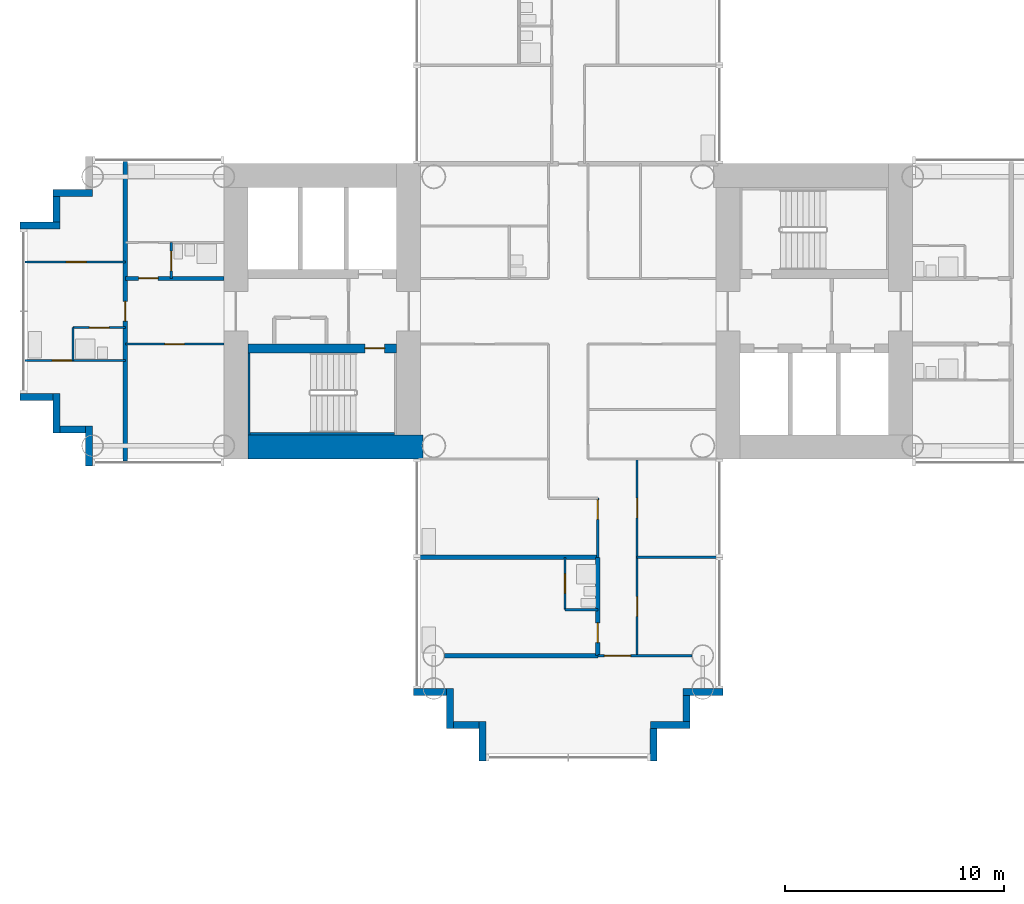
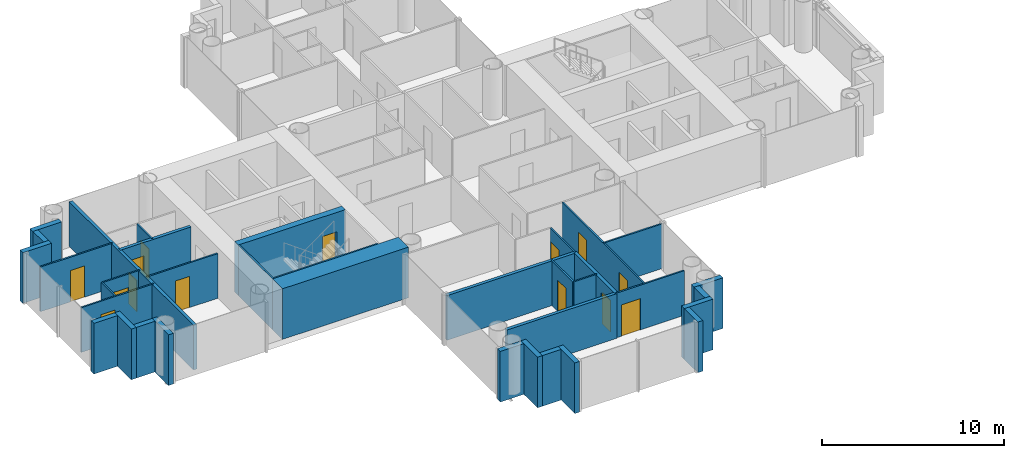
# One storey, part 9 of 22: 36 walls, 14 doors, 14 openings.
"""IFC4 building model written with IfcOpenShell, lengths in metres."""

from ifc_helpers import new_model, si_unit, direction, frame, frame_2d, origin, place, context, subcontext, project, spatial, rectangle, extrude, material, layer, layer_set, type_object, element, fill, save


model = new_model("IFC4")

# Units and contexts
model_context = context("Model", 3, precision=1e-05, world=origin(), true_north=direction((0.0, 1.0)))
body_context = subcontext(model_context, "Body", "Model", "MODEL_VIEW")
ifc_project = project(units=[si_unit("LENGTHUNIT", "METRE"), si_unit("AREAUNIT", "SQUARE_METRE"), si_unit("VOLUMEUNIT", "CUBIC_METRE"), si_unit("PLANEANGLEUNIT", "RADIAN"), si_unit("MASSUNIT", "GRAM", prefix="KILO")], contexts=[model_context])

# Site, building, storey
site_placement = place(None, origin())
site = spatial("IfcSite", under=ifc_project, at=site_placement, CompositionType="ELEMENT")
building_placement = place(site_placement, origin())
building = spatial("IfcBuilding", under=site, at=building_placement, Name="Ipe Terrace Towers", CompositionType="ELEMENT")
storey_placement = place(building_placement, frame((0.0, 0.0, 68.699951171875)))
storey = spatial("IfcBuildingStorey", under=building, at=storey_placement, Name="L18", CompositionType="ELEMENT", Elevation=68.699951171875)

# Walls
ifc_material_1 = material(Name="Concrete C40/50 with buff precast cladding", Category="concrete")
ifc_layer_1 = layer(ifc_material_1, 0.320068359375)
ifc_layer_set_1 = layer_set([ifc_layer_1], Name="BUFF CLADDING WALL 320")
wall_type_1 = type_object("IfcWallType", Name="BUFF CLADDING WALL 320", PredefinedType="STANDARD", material=ifc_layer_set_1)
wall_1_placement = place(storey_placement, frame((-61.070068359375, -3.909912109375, -0.300048828125), z_axis=(0.0, 0.0, 1.0), x_axis=(1.0, 0.0, 0.0)))
element("IfcWall", 1, at=wall_1_placement, inside=storey, type_object=wall_type_1, Name="T1-W-L18-00a wall", PredefinedType="STANDARD", context=body_context, shape_type="SweptSolid", body=[
    extrude(rectangle(XDim=1.5, YDim=0.320068359375, at=frame_2d((0.75, 0.0))), origin(), (0.0, 0.0, 1.0), 3.400146484375),
])
wall_2_placement = place(storey_placement, frame((-59.409912109375, -3.75, -0.300048828125), z_axis=(0.0, 0.0, 1.0), x_axis=(0.0, -1.0, 0.0)))
element("IfcWall", 2, at=wall_2_placement, inside=storey, type_object=wall_type_1, Name="T1-W-L18-01a wall", PredefinedType="STANDARD", context=body_context, shape_type="SweptSolid", body=[
    extrude(rectangle(XDim=1.820068359375, YDim=0.320068359375, at=frame_2d((0.91015625, 0.0))), origin(), (0.0, 0.0, 1.0), 3.400146484375),
])
wall_3_placement = place(storey_placement, frame((-59.25, -5.409912109375, -0.300048828125), z_axis=(0.0, 0.0, 1.0), x_axis=(1.0, 0.0, 0.0)))
element("IfcWall", 3, at=wall_3_placement, inside=storey, type_object=wall_type_1, Name="T1-W-L18-02a wall", PredefinedType="STANDARD", context=body_context, shape_type="SweptSolid", body=[
    extrude(rectangle(XDim=1.179931640625, YDim=0.320068359375, at=frame_2d((0.58984375, 0.0))), origin(), (0.0, 0.0, 1.0), 3.400146484375),
])
wall_4_placement = place(storey_placement, frame((-57.909912109375, -5.25, -0.300048828125), z_axis=(0.0, 0.0, 1.0), x_axis=(0.0, -1.0, 0.0)))
element("IfcWall", 4, at=wall_4_placement, inside=storey, type_object=wall_type_1, Name="T1-W-L18-03a wall", PredefinedType="STANDARD", context=body_context, shape_type="SweptSolid", body=[
    extrude(rectangle(XDim=1.820068359375, YDim=0.320068359375, at=frame_2d((0.91015625, 0.0))), origin(), (0.0, 0.0, 1.0), 3.400146484375),
])
wall_5_placement = place(storey_placement, frame((-43.070068359375, -17.409912109375, -0.300048828125), z_axis=(0.0, 0.0, 1.0), x_axis=(1.0, 0.0, 0.0)))
element("IfcWall", 5, at=wall_5_placement, inside=storey, type_object=wall_type_1, Name="T1-W-L18-08a wall", PredefinedType="STANDARD", context=body_context, shape_type="SweptSolid", body=[
    extrude(rectangle(XDim=1.5, YDim=0.320068359375, at=frame_2d((0.75, 0.0))), origin(), (0.0, 0.0, 1.0), 3.400146484375),
])
wall_6_placement = place(storey_placement, frame((-41.409912109375, -17.25, -0.300048828125), z_axis=(0.0, 0.0, 1.0), x_axis=(0.0, -1.0, 0.0)))
element("IfcWall", 6, at=wall_6_placement, inside=storey, type_object=wall_type_1, Name="T1-W-L18-09a wall", PredefinedType="STANDARD", context=body_context, shape_type="SweptSolid", body=[
    extrude(rectangle(XDim=1.820068359375, YDim=0.320068359375, at=frame_2d((0.91015625, 0.0))), origin(), (0.0, 0.0, 1.0), 3.400146484375),
])
wall_7_placement = place(storey_placement, frame((-41.25, -18.909912109375, -0.300048828125), z_axis=(0.0, 0.0, 1.0), x_axis=(1.0, 0.0, 0.0)))
element("IfcWall", 7, at=wall_7_placement, inside=storey, type_object=wall_type_1, Name="T1-W-L18-10a wall", PredefinedType="STANDARD", context=body_context, shape_type="SweptSolid", body=[
    extrude(rectangle(XDim=1.179931640625, YDim=0.320068359375, at=frame_2d((0.58984375, 0.0))), origin(), (0.0, 0.0, 1.0), 3.400146484375),
])
wall_8_placement = place(storey_placement, frame((-39.909912109375, -18.75, -0.300048828125), z_axis=(0.0, 0.0, 1.0), x_axis=(0.0, -1.0, 0.0)))
element("IfcWall", 8, at=wall_8_placement, inside=storey, type_object=wall_type_1, Name="T1-W-L18-11a wall", PredefinedType="STANDARD", context=body_context, shape_type="SweptSolid", body=[
    extrude(rectangle(XDim=1.820068359375, YDim=0.320068359375, at=frame_2d((0.91015625, 0.0))), origin(), (0.0, 0.0, 1.0), 3.400146484375),
])
wall_9_placement = place(storey_placement, frame((-32.090087890625, -20.570068359375, -0.300048828125), z_axis=(0.0, 0.0, 1.0), x_axis=(0.0, 1.0, 0.0)))
element("IfcWall", 9, at=wall_9_placement, inside=storey, type_object=wall_type_1, Name="T1-W-L18-13a wall", PredefinedType="STANDARD", context=body_context, shape_type="SweptSolid", body=[
    extrude(rectangle(XDim=1.5, YDim=0.320068359375, at=frame_2d((0.75, 0.0))), origin(), (0.0, 0.0, 1.0), 3.400146484375),
])
wall_10_placement = place(storey_placement, frame((-32.25, -18.909912109375, -0.300048828125), z_axis=(0.0, 0.0, 1.0), x_axis=(1.0, 0.0, 0.0)))
element("IfcWall", 10, at=wall_10_placement, inside=storey, type_object=wall_type_1, Name="T1-W-L18-14a wall", PredefinedType="STANDARD", context=body_context, shape_type="SweptSolid", body=[
    extrude(rectangle(XDim=1.820068359375, YDim=0.320068359375, at=frame_2d((0.91015625, 0.0))), origin(), (0.0, 0.0, 1.0), 3.400146484375),
])
wall_11_placement = place(storey_placement, frame((-30.590087890625, -18.75, -0.300048828125), z_axis=(0.0, 0.0, 1.0), x_axis=(0.0, 1.0, 0.0)))
element("IfcWall", 11, at=wall_11_placement, inside=storey, type_object=wall_type_1, Name="T1-W-L18-15a wall", PredefinedType="STANDARD", context=body_context, shape_type="SweptSolid", body=[
    extrude(rectangle(XDim=1.179931640625, YDim=0.320068359375, at=frame_2d((0.58984375, 0.0))), origin(), (0.0, 0.0, 1.0), 3.400146484375),
])
for number, where, z_axis, x_axis, name in (
    (12, (-30.75, -17.409912109375, -0.300048828125), (0.0, 0.0, 1.0), (1.0, 0.0, 0.0), "T1-W-L18-16a wall"),
    (13, (-57.75, 5.409912109375, -0.300048828125), (0.0, 0.0, 1.0), (-1.0, 0.0, 0.0), "T1-W-L18-48a wall"),
):
    element("IfcWall", number, at=place(storey_placement, frame(where, z_axis=z_axis, x_axis=x_axis)), inside=storey, type_object=wall_type_1, Name=name, PredefinedType="STANDARD", context=body_context, shape_type="SweptSolid", body=[
        extrude(rectangle(XDim=1.820068359375, YDim=0.320068359375, at=frame_2d((0.91015625, 0.0))), origin(), (0.0, 0.0, 1.0), 3.400146484375),
    ])
wall_12_placement = place(storey_placement, frame((-59.409912109375, 5.25, -0.300048828125), z_axis=(0.0, 0.0, 1.0), x_axis=(0.0, -1.0, 0.0)))
element("IfcWall", 14, at=wall_12_placement, inside=storey, type_object=wall_type_1, Name="T1-W-L18-49a wall", PredefinedType="STANDARD", context=body_context, shape_type="SweptSolid", body=[
    extrude(rectangle(XDim=1.179931640625, YDim=0.320068359375, at=frame_2d((0.58984375, 0.0))), origin(), (0.0, 0.0, 1.0), 3.400146484375),
])
wall_13_placement = place(storey_placement, frame((-59.25, 3.909912109375, -0.300048828125), z_axis=(0.0, 0.0, 1.0), x_axis=(-1.0, 0.0, 0.0)))
element("IfcWall", 15, at=wall_13_placement, inside=storey, type_object=wall_type_1, Name="T1-W-L18-50a wall", PredefinedType="STANDARD", context=body_context, shape_type="SweptSolid", body=[
    extrude(rectangle(XDim=1.820068359375, YDim=0.320068359375, at=frame_2d((0.91015625, 0.0))), origin(), (0.0, 0.0, 1.0), 3.400146484375),
])
ifc_material_2 = material(Name="Gypsum board partition", Category="plasterboard")
ifc_layer_2 = layer(ifc_material_2, 0.10009765625)
ifc_layer_set_2 = layer_set([ifc_layer_2], Name="Gypsum board partition 100 mm")
wall_type_2 = type_object("IfcWallType", Name="Gypsum board partition 100 mm", PredefinedType="PARTITIONING", material=ifc_layer_set_2)
wall_14_placement = place(storey_placement, frame((-58.64990234375, -2.25, 0.0), z_axis=(0.0, 0.0, 1.0), x_axis=(0.0, 1.0, 0.0)))
element("IfcWall", 16, at=wall_14_placement, inside=storey, type_object=wall_type_2, Name="Gypsum board partition T1 L18 W01", PredefinedType="PARTITIONING", context=body_context, shape_type="SweptSolid", body=[
    extrude(rectangle(XDim=1.5, YDim=0.10009765625, at=frame_2d((0.75, 0.0))), origin(), (0.0, 0.0, 1.0), 3.0),
])

# Wall, opening, door
wall_15_placement = place(storey_placement, frame((-54.14990234375, 1.5, 0.0), z_axis=(0.0, 0.0, 1.0), x_axis=(0.0, 1.0, 0.0)))
wall_15 = element("IfcWall", 17, at=wall_15_placement, inside=storey, type_object=wall_type_2, Name="Gypsum board partition T1 L18 W03", PredefinedType="PARTITIONING", context=body_context, shape_type="SweptSolid", body=[
    extrude(rectangle(XDim=1.64990234375, YDim=0.10009765625, at=frame_2d((0.824951171875, 0.0))), origin(), (0.0, 0.0, 1.0), 3.0),
])
opening_1_placement = place(wall_15_placement, frame((0.35009765625, 0.0, 0.0)))
opening_1 = element("IfcOpeningElement", 18, at=opening_1_placement, cuts=wall_15, Name="Opening T1-Z1F-34", PredefinedType="OPENING", context=body_context, shape_type="SweptSolid", body=[
    extrude(rectangle(XDim=0.89990234375, YDim=2.10009765625, at=frame_2d((0.449951171875, 1.050048828125))), frame((0.0, 0.06005859375, 0.0), z_axis=(0.0, -1.0, 0.0), x_axis=(1.0, 0.0, 0.0)), (0.0, 0.0, 1.0), 0.1201171875),
])
ifc_material_3 = material(Name="Timber door leaf", Category="wood")
door_type_1 = type_object("IfcDoorType", Name="Bathroom door 900 x 2100", OperationType="NOTDEFINED", PredefinedType="DOOR", material=ifc_material_3)
door_1_placement = place(opening_1_placement, origin())
door_1 = element("IfcDoor", 19, at=door_1_placement, inside=storey, type_object=door_type_1, Name="Bathroom door T1-Z1F-34", OperationType="SINGLE_SWING_LEFT", OverallHeight=2.10009765625, OverallWidth=0.89990234375, PredefinedType="DOOR", context=body_context, shape_type="SweptSolid", body=[
    extrude(rectangle(XDim=0.89990234375, YDim=2.10009765625, at=frame_2d((0.449951171875, 1.050048828125))), frame((0.0, 0.02490234375, 0.0), z_axis=(0.0, -1.0, 0.0), x_axis=(1.0, 0.0, 0.0)), (0.0, 0.0, 1.0), 0.050048828125),
])
fill(opening_1, door_1)

wall_16_placement = place(storey_placement, frame((-36.14990234375, -13.64990234375, 0.0), z_axis=(0.0, 0.0, 1.0), x_axis=(0.0, 1.0, 0.0)))
wall_16 = element("IfcWall", 20, at=wall_16_placement, inside=storey, type_object=wall_type_2, Name="Gypsum board partition T1 L18 W09", PredefinedType="PARTITIONING", context=body_context, shape_type="SweptSolid", body=[
    extrude(rectangle(XDim=2.39990234375, YDim=0.10009765625, at=frame_2d((1.199951171875, 0.0))), origin(), (0.0, 0.0, 1.0), 3.0),
])
opening_2_placement = place(wall_16_placement, frame((0.75, 0.0, 0.0)))
opening_2 = element("IfcOpeningElement", 21, at=opening_2_placement, cuts=wall_16, Name="Opening T1-Z1F-23", PredefinedType="OPENING", context=body_context, shape_type="SweptSolid", body=[
    extrude(rectangle(XDim=0.89990234375, YDim=2.10009765625, at=frame_2d((0.449951171875, 1.050048828125))), frame((0.0, 0.06005859375, 0.0), z_axis=(0.0, -1.0, 0.0), x_axis=(1.0, 0.0, 0.0)), (0.0, 0.0, 1.0), 0.1201171875),
])
door_2_placement = place(opening_2_placement, origin())
door_2 = element("IfcDoor", 22, at=door_2_placement, inside=storey, type_object=door_type_1, Name="Bathroom door T1-Z1F-23", OperationType="SINGLE_SWING_RIGHT", OverallHeight=2.10009765625, OverallWidth=0.89990234375, PredefinedType="DOOR", context=body_context, shape_type="SweptSolid", body=[
    extrude(rectangle(XDim=0.89990234375, YDim=2.10009765625, at=frame_2d((0.449951171875, 1.050048828125))), frame((0.0, 0.02490234375, 0.0), z_axis=(0.0, -1.0, 0.0), x_axis=(1.0, 0.0, 0.0)), (0.0, 0.0, 1.0), 0.050048828125),
])
fill(opening_2, door_2)

wall_17_placement = place(storey_placement, frame((-34.64990234375, -11.25, 0.0), z_axis=(0.0, 0.0, 1.0), x_axis=(0.0, 1.0, 0.0)))
wall_17 = element("IfcWall", 23, at=wall_17_placement, inside=storey, type_object=wall_type_2, Name="Gypsum board partition T1 L18 W13", PredefinedType="PARTITIONING", context=body_context, shape_type="SweptSolid", body=[
    extrude(rectangle(XDim=2.699951171875, YDim=0.10009765625, at=frame_2d((1.35009765625, 0.0))), origin(), (0.0, 0.0, 1.0), 3.0),
])
opening_3_placement = place(wall_17_placement, frame((1.72998046875, 0.0, 0.0)))
opening_3 = element("IfcOpeningElement", 24, at=opening_3_placement, cuts=wall_17, Name="Opening T1-Z1F-21", PredefinedType="OPENING", context=body_context, shape_type="SweptSolid", body=[
    extrude(rectangle(XDim=0.89990234375, YDim=2.10009765625, at=frame_2d((0.449951171875, 1.050048828125))), frame((0.0, 0.06005859375, 0.0), z_axis=(0.0, -1.0, 0.0), x_axis=(1.0, 0.0, 0.0)), (0.0, 0.0, 1.0), 0.1201171875),
])
ifc_material_4 = material(Name="Timber door leaf", Category="wood")
door_type_2 = type_object("IfcDoorType", Name="Lounge door 900 x 2100", OperationType="NOTDEFINED", PredefinedType="DOOR", material=ifc_material_4)
door_3_placement = place(opening_3_placement, origin())
door_3 = element("IfcDoor", 25, at=door_3_placement, inside=storey, type_object=door_type_2, Name="Lounge door T1-Z1F-21", OperationType="SINGLE_SWING_LEFT", OverallHeight=2.10009765625, OverallWidth=0.89990234375, PredefinedType="DOOR", context=body_context, shape_type="SweptSolid", body=[
    extrude(rectangle(XDim=0.89990234375, YDim=2.10009765625, at=frame_2d((0.449951171875, 1.050048828125))), frame((0.0, 0.02490234375, 0.0), z_axis=(0.0, -1.0, 0.0), x_axis=(1.0, 0.0, 0.0)), (0.0, 0.0, 1.0), 0.050048828125),
])
fill(opening_3, door_3)

# Wall, openings, doors
wall_18_placement = place(storey_placement, frame((-32.85009765625, -15.75, 0.0), z_axis=(0.0, 0.0, 1.0), x_axis=(0.0, 1.0, 0.0)))
wall_18 = element("IfcWall", 26, at=wall_18_placement, inside=storey, type_object=wall_type_2, Name="Gypsum board partition T1 L18 W16", PredefinedType="PARTITIONING", context=body_context, shape_type="SweptSolid", body=[
    extrude(rectangle(XDim=9.0, YDim=0.10009765625, at=frame_2d((4.5, 0.0))), origin(), (0.0, 0.0, 1.0), 3.0),
])
opening_4_placement = place(wall_18_placement, frame((6.300048828125, 0.0, 0.0)))
opening_4 = element("IfcOpeningElement", 27, at=opening_4_placement, cuts=wall_18, Name="Opening T1-Z1F-19", PredefinedType="OPENING", context=body_context, shape_type="SweptSolid", body=[
    extrude(rectangle(XDim=0.89990234375, YDim=2.10009765625, at=frame_2d((0.449951171875, 1.050048828125))), frame((0.0, 0.06005859375, 0.0), z_axis=(0.0, -1.0, 0.0), x_axis=(1.0, 0.0, 0.0)), (0.0, 0.0, 1.0), 0.1201171875),
])
opening_5_placement = place(wall_18_placement, frame((1.800048828125, 0.0, 0.0)))
opening_5 = element("IfcOpeningElement", 28, at=opening_5_placement, cuts=wall_18, Name="Opening T1-Z1F-20", PredefinedType="OPENING", context=body_context, shape_type="SweptSolid", body=[
    extrude(rectangle(XDim=0.89990234375, YDim=2.10009765625, at=frame_2d((0.449951171875, 1.050048828125))), frame((0.0, 0.06005859375, 0.0), z_axis=(0.0, -1.0, 0.0), x_axis=(1.0, 0.0, 0.0)), (0.0, 0.0, 1.0), 0.1201171875),
])
door_4_placement = place(opening_4_placement, origin())
door_4 = element("IfcDoor", 29, at=door_4_placement, inside=storey, type_object=door_type_2, Name="Lounge door T1-Z1F-19", OperationType="SINGLE_SWING_RIGHT", OverallHeight=2.10009765625, OverallWidth=0.89990234375, PredefinedType="DOOR", context=body_context, shape_type="SweptSolid", body=[
    extrude(rectangle(XDim=0.89990234375, YDim=2.10009765625, at=frame_2d((0.449951171875, 1.050048828125))), frame((0.0, 0.02490234375, 0.0), z_axis=(0.0, -1.0, 0.0), x_axis=(1.0, 0.0, 0.0)), (0.0, 0.0, 1.0), 0.050048828125),
])
fill(opening_4, door_4)
door_5_placement = place(opening_5_placement, origin())
door_5 = element("IfcDoor", 30, at=door_5_placement, inside=storey, type_object=door_type_2, Name="Lounge door T1-Z1F-20", OperationType="SINGLE_SWING_LEFT", OverallHeight=2.10009765625, OverallWidth=0.89990234375, PredefinedType="DOOR", context=body_context, shape_type="SweptSolid", body=[
    extrude(rectangle(XDim=0.89990234375, YDim=2.10009765625, at=frame_2d((0.449951171875, 1.050048828125))), frame((0.0, 0.02490234375, 0.0), z_axis=(0.0, -1.0, 0.0), x_axis=(1.0, 0.0, 0.0)), (0.0, 0.0, 1.0), 0.050048828125),
])
fill(opening_5, door_5)

# Wall, opening, door
wall_19_placement = place(storey_placement, frame((-34.64990234375, -15.75, 0.0), z_axis=(0.0, 0.0, 1.0), x_axis=(1.0, 0.0, 0.0)))
wall_19 = element("IfcWall", 31, at=wall_19_placement, inside=storey, type_object=wall_type_2, Name="Gypsum board partition T1 L18 W23", PredefinedType="PARTITIONING", context=body_context, shape_type="SweptSolid", body=[
    extrude(rectangle(XDim=4.2998046875, YDim=0.10009765625, at=frame_2d((2.14990234375, 0.0))), origin(), (0.0, 0.0, 1.0), 3.0),
])
opening_6_placement = place(wall_19_placement, frame((0.300048828125, 0.0, 0.0)))
opening_6 = element("IfcOpeningElement", 32, at=opening_6_placement, cuts=wall_19, Name="Opening T1-Z1F-24", PredefinedType="OPENING", context=body_context, shape_type="SweptSolid", body=[
    extrude(rectangle(XDim=1.199951171875, YDim=2.10009765625, at=frame_2d((0.60009765625, 1.050048828125))), frame((0.0, 0.06005859375, 0.0), z_axis=(0.0, -1.0, 0.0), x_axis=(1.0, 0.0, 0.0)), (0.0, 0.0, 1.0), 0.1201171875),
])
ifc_material_5 = material(Name="Timber door leaf", Category="wood")
door_type_3 = type_object("IfcDoorType", Name="Lounge door 1200 x 2100", OperationType="NOTDEFINED", PredefinedType="DOOR", material=ifc_material_5)
door_6_placement = place(opening_6_placement, origin())
door_6 = element("IfcDoor", 33, at=door_6_placement, inside=storey, type_object=door_type_3, Name="Lounge door T1-Z1F-24", OperationType="SINGLE_SWING_LEFT", OverallHeight=2.10009765625, OverallWidth=1.199951171875, PredefinedType="DOOR", context=body_context, shape_type="SweptSolid", body=[
    extrude(rectangle(XDim=1.199951171875, YDim=2.10009765625, at=frame_2d((0.60009765625, 1.050048828125))), frame((0.0, 0.02490234375, 0.0), z_axis=(0.0, -1.0, 0.0), x_axis=(1.0, 0.0, 0.0)), (0.0, 0.0, 1.0), 0.050048828125),
])
fill(opening_6, door_6)

# Walls
wall_20_placement = place(storey_placement, frame((-36.14990234375, -13.64990234375, 0.0), z_axis=(0.0, 0.0, 1.0), x_axis=(1.0, 0.0, 0.0)))
element("IfcWall", 34, at=wall_20_placement, inside=storey, type_object=wall_type_2, Name="Gypsum board partition T1 L18 W25", PredefinedType="PARTITIONING", context=body_context, shape_type="SweptSolid", body=[
    extrude(rectangle(XDim=1.5, YDim=0.10009765625, at=frame_2d((0.75, 0.0))), origin(), (0.0, 0.0, 1.0), 3.0),
])
wall_21_placement = place(storey_placement, frame((-32.85009765625, -11.25, 0.0), z_axis=(0.0, 0.0, 1.0), x_axis=(1.0, 0.0, 0.0)))
element("IfcWall", 35, at=wall_21_placement, inside=storey, type_object=wall_type_2, Name="Gypsum board partition T1 L18 W26", PredefinedType="PARTITIONING", context=body_context, shape_type="SweptSolid", body=[
    extrude(rectangle(XDim=3.7001953125, YDim=0.10009765625, at=frame_2d((1.85009765625, 0.0))), origin(), (0.0, 0.0, 1.0), 3.0),
])

# Wall, opening, door
wall_22_placement = place(storey_placement, frame((-60.85009765625, -2.25, 0.0), z_axis=(0.0, 0.0, 1.0), x_axis=(1.0, 0.0, 0.0)))
wall_22 = element("IfcWall", 36, at=wall_22_placement, inside=storey, type_object=wall_type_2, Name="Gypsum board partition T1 L18 W33", PredefinedType="PARTITIONING", context=body_context, shape_type="SweptSolid", body=[
    extrude(rectangle(XDim=4.60009765625, YDim=0.10009765625, at=frame_2d((2.300048828125, 0.0))), origin(), (0.0, 0.0, 1.0), 3.0),
])
opening_7_placement = place(wall_22_placement, frame((1.25, 0.0, 0.0)))
opening_7 = element("IfcOpeningElement", 37, at=opening_7_placement, cuts=wall_22, Name="Opening T1-Z1F-37", PredefinedType="OPENING", context=body_context, shape_type="SweptSolid", body=[
    extrude(rectangle(XDim=0.89990234375, YDim=2.10009765625, at=frame_2d((0.449951171875, 1.050048828125))), frame((0.0, 0.06005859375, 0.0), z_axis=(0.0, -1.0, 0.0), x_axis=(1.0, 0.0, 0.0)), (0.0, 0.0, 1.0), 0.1201171875),
])
door_7_placement = place(opening_7_placement, origin())
door_7 = element("IfcDoor", 38, at=door_7_placement, inside=storey, type_object=door_type_2, Name="Lounge door T1-Z1F-37", OperationType="SINGLE_SWING_LEFT", OverallHeight=2.10009765625, OverallWidth=0.89990234375, PredefinedType="DOOR", context=body_context, shape_type="SweptSolid", body=[
    extrude(rectangle(XDim=0.89990234375, YDim=2.10009765625, at=frame_2d((0.449951171875, 1.050048828125))), frame((0.0, 0.02490234375, 0.0), z_axis=(0.0, -1.0, 0.0), x_axis=(1.0, 0.0, 0.0)), (0.0, 0.0, 1.0), 0.050048828125),
])
fill(opening_7, door_7)

wall_23_placement = place(storey_placement, frame((-56.25, -1.5, 0.0), z_axis=(0.0, 0.0, 1.0), x_axis=(1.0, 0.0, 0.0)))
wall_23 = element("IfcWall", 39, at=wall_23_placement, inside=storey, type_object=wall_type_2, Name="Gypsum board partition T1 L18 W34", PredefinedType="PARTITIONING", context=body_context, shape_type="SweptSolid", body=[
    extrude(rectangle(XDim=4.5, YDim=0.10009765625, at=frame_2d((2.25, 0.0))), origin(), (0.0, 0.0, 1.0), 3.0),
])
opening_8_placement = place(wall_23_placement, frame((1.800048828125, 0.0, 0.0)))
opening_8 = element("IfcOpeningElement", 40, at=opening_8_placement, cuts=wall_23, Name="Opening T1-Z1F-31", PredefinedType="OPENING", context=body_context, shape_type="SweptSolid", body=[
    extrude(rectangle(XDim=0.89990234375, YDim=2.10009765625, at=frame_2d((0.449951171875, 1.050048828125))), frame((0.0, 0.06005859375, 0.0), z_axis=(0.0, -1.0, 0.0), x_axis=(1.0, 0.0, 0.0)), (0.0, 0.0, 1.0), 0.1201171875),
])
door_8_placement = place(opening_8_placement, origin())
door_8 = element("IfcDoor", 41, at=door_8_placement, inside=storey, type_object=door_type_2, Name="Lounge door T1-Z1F-31", OperationType="SINGLE_SWING_RIGHT", OverallHeight=2.10009765625, OverallWidth=0.89990234375, PredefinedType="DOOR", context=body_context, shape_type="SweptSolid", body=[
    extrude(rectangle(XDim=0.89990234375, YDim=2.10009765625, at=frame_2d((0.449951171875, 1.050048828125))), frame((0.0, 0.02490234375, 0.0), z_axis=(0.0, -1.0, 0.0), x_axis=(1.0, 0.0, 0.0)), (0.0, 0.0, 1.0), 0.050048828125),
])
fill(opening_8, door_8)

wall_24_placement = place(storey_placement, frame((-58.64990234375, -0.75, 0.0), z_axis=(0.0, 0.0, 1.0), x_axis=(1.0, 0.0, 0.0)))
wall_24 = element("IfcWall", 42, at=wall_24_placement, inside=storey, type_object=wall_type_2, Name="Gypsum board partition T1 L18 W38", PredefinedType="PARTITIONING", context=body_context, shape_type="SweptSolid", body=[
    extrude(rectangle(XDim=2.39990234375, YDim=0.10009765625, at=frame_2d((1.199951171875, 0.0))), origin(), (0.0, 0.0, 1.0), 3.0),
])
opening_9_placement = place(wall_24_placement, frame((0.75, 0.0, 0.0)))
opening_9 = element("IfcOpeningElement", 43, at=opening_9_placement, cuts=wall_24, Name="Opening T1-Z1F-35", PredefinedType="OPENING", context=body_context, shape_type="SweptSolid", body=[
    extrude(rectangle(XDim=0.89990234375, YDim=2.10009765625, at=frame_2d((0.449951171875, 1.050048828125))), frame((0.0, 0.06005859375, 0.0), z_axis=(0.0, -1.0, 0.0), x_axis=(1.0, 0.0, 0.0)), (0.0, 0.0, 1.0), 0.1201171875),
])
door_9_placement = place(opening_9_placement, origin())
door_9 = element("IfcDoor", 44, at=door_9_placement, inside=storey, type_object=door_type_1, Name="Bathroom door T1-Z1F-35", OperationType="SINGLE_SWING_RIGHT", OverallHeight=2.10009765625, OverallWidth=0.89990234375, PredefinedType="DOOR", context=body_context, shape_type="SweptSolid", body=[
    extrude(rectangle(XDim=0.89990234375, YDim=2.10009765625, at=frame_2d((0.449951171875, 1.050048828125))), frame((0.0, 0.02490234375, 0.0), z_axis=(0.0, -1.0, 0.0), x_axis=(1.0, 0.0, 0.0)), (0.0, 0.0, 1.0), 0.050048828125),
])
fill(opening_9, door_9)

wall_25_placement = place(storey_placement, frame((-60.85009765625, 2.25, 0.0), z_axis=(0.0, 0.0, 1.0), x_axis=(1.0, 0.0, 0.0)))
wall_25 = element("IfcWall", 45, at=wall_25_placement, inside=storey, type_object=wall_type_2, Name="Gypsum board partition T1 L18 W43", PredefinedType="PARTITIONING", context=body_context, shape_type="SweptSolid", body=[
    extrude(rectangle(XDim=4.60009765625, YDim=0.10009765625, at=frame_2d((2.300048828125, 0.0))), origin(), (0.0, 0.0, 1.0), 3.0),
])
opening_10_placement = place(wall_25_placement, frame((1.89990234375, 0.0, 0.0)))
opening_10 = element("IfcOpeningElement", 46, at=opening_10_placement, cuts=wall_25, Name="Opening T1-Z1F-38", PredefinedType="OPENING", context=body_context, shape_type="SweptSolid", body=[
    extrude(rectangle(XDim=0.89990234375, YDim=2.10009765625, at=frame_2d((0.449951171875, 1.050048828125))), frame((0.0, 0.06005859375, 0.0), z_axis=(0.0, -1.0, 0.0), x_axis=(1.0, 0.0, 0.0)), (0.0, 0.0, 1.0), 0.1201171875),
])
door_10_placement = place(opening_10_placement, origin())
door_10 = element("IfcDoor", 47, at=door_10_placement, inside=storey, type_object=door_type_2, Name="Lounge door T1-Z1F-38", OperationType="SINGLE_SWING_LEFT", OverallHeight=2.10009765625, OverallWidth=0.89990234375, PredefinedType="DOOR", context=body_context, shape_type="SweptSolid", body=[
    extrude(rectangle(XDim=0.89990234375, YDim=2.10009765625, at=frame_2d((0.449951171875, 1.050048828125))), frame((0.0, 0.02490234375, 0.0), z_axis=(0.0, -1.0, 0.0), x_axis=(1.0, 0.0, 0.0)), (0.0, 0.0, 1.0), 0.050048828125),
])
fill(opening_10, door_10)

ifc_material_6 = material(Name="Gypsum board party wall", Category="plasterboard")
ifc_layer_3 = layer(ifc_material_6, 0.199951171875)
ifc_layer_set_3 = layer_set([ifc_layer_3], Name="Gypsum board party wall 200 mm")
wall_type_3 = type_object("IfcWallType", Name="Gypsum board party wall 200 mm", PredefinedType="SOLIDWALL", material=ifc_layer_set_3)
wall_26_placement = place(storey_placement, frame((-56.25, -6.85009765625, 0.0), z_axis=(0.0, 0.0, 1.0), x_axis=(0.0, 1.0, 0.0)))
wall_26 = element("IfcWall", 48, at=wall_26_placement, inside=storey, type_object=wall_type_3, Name="Gypsum board party wall T1 L18 W02", PredefinedType="SOLIDWALL", context=body_context, shape_type="SweptSolid", body=[
    extrude(rectangle(XDim=13.7001953125, YDim=0.199951171875, at=frame_2d((6.85009765625, 0.0))), origin(), (0.0, 0.0, 1.0), 3.0),
])
opening_11_placement = place(wall_26_placement, frame((6.39990234375, 0.0, 0.0)))
opening_11 = element("IfcOpeningElement", 49, at=opening_11_placement, cuts=wall_26, Name="Opening T1-Z1F-36", PredefinedType="OPENING", context=body_context, shape_type="SweptSolid", body=[
    extrude(rectangle(XDim=0.89990234375, YDim=2.10009765625, at=frame_2d((0.449951171875, 1.050048828125))), frame((0.0, 0.10986328125, 0.0), z_axis=(0.0, -1.0, 0.0), x_axis=(1.0, 0.0, 0.0)), (0.0, 0.0, 1.0), 0.219970703125),
])
ifc_material_7 = material(Name="Fire-rated timber door leaf", Category="wood")
door_type_4 = type_object("IfcDoorType", Name="Flat entrance door 900 x 2100 FD30S", OperationType="NOTDEFINED", PredefinedType="DOOR", material=ifc_material_7)
door_11_placement = place(opening_11_placement, origin())
door_11 = element("IfcDoor", 50, at=door_11_placement, inside=storey, type_object=door_type_4, Name="Flat entrance door T1-Z1F-36", OperationType="SINGLE_SWING_LEFT", OverallHeight=2.10009765625, OverallWidth=0.89990234375, PredefinedType="DOOR", context=body_context, shape_type="SweptSolid", body=[
    extrude(rectangle(XDim=0.89990234375, YDim=2.10009765625, at=frame_2d((0.449951171875, 1.050048828125))), frame((0.0, 0.02490234375, 0.0), z_axis=(0.0, -1.0, 0.0), x_axis=(1.0, 0.0, 0.0)), (0.0, 0.0, 1.0), 0.050048828125),
])
fill(opening_11, door_11)

wall_27_placement = place(storey_placement, frame((-34.64990234375, -15.75, 0.0), z_axis=(0.0, 0.0, 1.0), x_axis=(0.0, 1.0, 0.0)))
wall_27 = element("IfcWall", 51, at=wall_27_placement, inside=storey, type_object=wall_type_3, Name="Gypsum board party wall T1 L18 W14", PredefinedType="SOLIDWALL", context=body_context, shape_type="SweptSolid", body=[
    extrude(rectangle(XDim=4.5, YDim=0.199951171875, at=frame_2d((2.25, 0.0))), origin(), (0.0, 0.0, 1.0), 3.0),
])
opening_12_placement = place(wall_27_placement, frame((0.60009765625, 0.0, 0.0)))
opening_12 = element("IfcOpeningElement", 52, at=opening_12_placement, cuts=wall_27, Name="Opening T1-Z1F-22", PredefinedType="OPENING", context=body_context, shape_type="SweptSolid", body=[
    extrude(rectangle(XDim=0.89990234375, YDim=2.10009765625, at=frame_2d((0.449951171875, 1.050048828125))), frame((0.0, 0.10986328125, 0.0), z_axis=(0.0, -1.0, 0.0), x_axis=(1.0, 0.0, 0.0)), (0.0, 0.0, 1.0), 0.219970703125),
])
door_12_placement = place(opening_12_placement, origin())
door_12 = element("IfcDoor", 53, at=door_12_placement, inside=storey, type_object=door_type_4, Name="Flat entrance door T1-Z1F-22", OperationType="SINGLE_SWING_RIGHT", OverallHeight=2.10009765625, OverallWidth=0.89990234375, PredefinedType="DOOR", context=body_context, shape_type="SweptSolid", body=[
    extrude(rectangle(XDim=0.89990234375, YDim=2.10009765625, at=frame_2d((0.449951171875, 1.050048828125))), frame((0.0, 0.02490234375, 0.0), z_axis=(0.0, -1.0, 0.0), x_axis=(1.0, 0.0, 0.0)), (0.0, 0.0, 1.0), 0.050048828125),
])
fill(opening_12, door_12)

# Walls
wall_28_placement = place(storey_placement, frame((-41.64990234375, -15.75, 0.0), z_axis=(0.0, 0.0, 1.0), x_axis=(1.0, 0.0, 0.0)))
element("IfcWall", 54, at=wall_28_placement, inside=storey, type_object=wall_type_3, Name="Gypsum board party wall T1 L18 W24", PredefinedType="SOLIDWALL", context=body_context, shape_type="SweptSolid", body=[
    extrude(rectangle(XDim=7.0, YDim=0.199951171875, at=frame_2d((3.5, 0.0))), origin(), (0.0, 0.0, 1.0), 3.0),
])
wall_29_placement = place(storey_placement, frame((-42.85009765625, -11.25, 0.0), z_axis=(0.0, 0.0, 1.0), x_axis=(1.0, 0.0, 0.0)))
element("IfcWall", 55, at=wall_29_placement, inside=storey, type_object=wall_type_3, Name="Gypsum board party wall T1 L18 W27", PredefinedType="SOLIDWALL", context=body_context, shape_type="SweptSolid", body=[
    extrude(rectangle(XDim=8.2001953125, YDim=0.199951171875, at=frame_2d((4.10009765625, 0.0))), origin(), (0.0, 0.0, 1.0), 3.0),
])

# Wall, opening, door
wall_30_placement = place(storey_placement, frame((-56.25, 1.5, 0.0), z_axis=(0.0, 0.0, 1.0), x_axis=(1.0, 0.0, 0.0)))
wall_30 = element("IfcWall", 56, at=wall_30_placement, inside=storey, type_object=wall_type_3, Name="Gypsum board party wall T1 L18 W41", PredefinedType="SOLIDWALL", context=body_context, shape_type="SweptSolid", body=[
    extrude(rectangle(XDim=4.5, YDim=0.199951171875, at=frame_2d((2.25, 0.0))), origin(), (0.0, 0.0, 1.0), 3.0),
])
opening_13_placement = place(wall_30_placement, frame((0.60009765625, 0.0, 0.0)))
opening_13 = element("IfcOpeningElement", 57, at=opening_13_placement, cuts=wall_30, Name="Opening T1-Z1F-32", PredefinedType="OPENING", context=body_context, shape_type="SweptSolid", body=[
    extrude(rectangle(XDim=0.89990234375, YDim=2.10009765625, at=frame_2d((0.449951171875, 1.050048828125))), frame((0.0, 0.10986328125, 0.0), z_axis=(0.0, -1.0, 0.0), x_axis=(1.0, 0.0, 0.0)), (0.0, 0.0, 1.0), 0.219970703125),
])
door_13_placement = place(opening_13_placement, origin())
door_13 = element("IfcDoor", 58, at=door_13_placement, inside=storey, type_object=door_type_4, Name="Flat entrance door T1-Z1F-32", OperationType="SINGLE_SWING_RIGHT", OverallHeight=2.10009765625, OverallWidth=0.89990234375, PredefinedType="DOOR", context=body_context, shape_type="SweptSolid", body=[
    extrude(rectangle(XDim=0.89990234375, YDim=2.10009765625, at=frame_2d((0.449951171875, 1.050048828125))), frame((0.0, 0.02490234375, 0.0), z_axis=(0.0, -1.0, 0.0), x_axis=(1.0, 0.0, 0.0)), (0.0, 0.0, 1.0), 0.050048828125),
])
fill(opening_13, door_13)

# Walls
ifc_material_8 = material(Name="Concrete C60/75", Category="concrete")
ifc_layer_4 = layer(ifc_material_8, 0.10009765625)
ifc_layer_set_4 = layer_set([ifc_layer_4], Name="RW100 CORE INFILL WALL 100 C60-75")
wall_type_4 = type_object("IfcWallType", Name="RW100 CORE INFILL WALL 100 C60-75", PredefinedType="SHEAR", material=ifc_layer_set_4)
wall_31_placement = place(storey_placement, frame((-50.60009765625, -1.89990234375, 0.0), z_axis=(0.0, 0.0, 1.0), x_axis=(0.0, -1.0, 0.0)))
element("IfcWall", 59, at=wall_31_placement, inside=storey, type_object=wall_type_4, Name="Core infill wall T1-C2-far", PredefinedType="SHEAR", context=body_context, shape_type="SweptSolid", body=[
    extrude(rectangle(XDim=3.75, YDim=0.10009765625, at=frame_2d((1.875, 0.0))), origin(), (0.0, 0.0, 1.0), 3.400146484375),
])
wall_32_placement = place(storey_placement, frame((-43.949951171875, -5.60009765625, 0.0), z_axis=(0.0, 0.0, 1.0), x_axis=(-1.0, 0.0, 0.0)))
element("IfcWall", 60, at=wall_32_placement, inside=storey, type_object=wall_type_4, Name="Core infill wall T1-C2-back", PredefinedType="SHEAR", context=body_context, shape_type="SweptSolid", body=[
    extrude(rectangle(XDim=6.60009765625, YDim=0.10009765625, at=frame_2d((3.300048828125, 0.0))), origin(), (0.0, 0.0, 1.0), 3.400146484375),
])
ifc_material_9 = material(Name="Concrete C60/75", Category="concrete")
ifc_layer_5 = layer(ifc_material_9, 1.10009765625)
ifc_layer_set_5 = layer_set([ifc_layer_5], Name="RW1100 CORE WALL 1100 C60-75")
wall_type_5 = type_object("IfcWallType", Name="RW1100 CORE WALL 1100 C60-75", PredefinedType="SHEAR", material=ifc_layer_set_5)
wall_33_placement = place(storey_placement, frame((-50.64990234375, -6.199951171875, 0.0), z_axis=(0.0, 0.0, 1.0), x_axis=(1.0, 0.0, 0.0)))
element("IfcWall", 61, at=wall_33_placement, inside=storey, type_object=wall_type_5, Name="Core wall T1-C2-Z1-W01", PredefinedType="SHEAR", context=body_context, shape_type="SweptSolid", body=[
    extrude(rectangle(XDim=7.997802734375, YDim=1.10009765625, at=frame_2d((3.9990234375, 0.0))), origin(), (0.0, 0.0, 1.0), 3.400146484375),
])

# Wall, opening, door
ifc_material_10 = material(Name="Concrete C60/75", Category="concrete")
ifc_layer_6 = layer(ifc_material_10, 0.39990234375)
ifc_layer_set_6 = layer_set([ifc_layer_6], Name="RW400 CORE SPINE WALL 400 C60-75")
wall_type_6 = type_object("IfcWallType", Name="RW400 CORE SPINE WALL 400 C60-75", PredefinedType="SHEAR", material=ifc_layer_set_6)
wall_34_placement = place(storey_placement, frame((-50.64990234375, -1.699951171875, 0.0), z_axis=(0.0, 0.0, 1.0), x_axis=(1.0, 0.0, 0.0)))
wall_34 = element("IfcWall", 62, at=wall_34_placement, inside=storey, type_object=wall_type_6, Name="Core spine wall T1-C2-Z1-SW1", PredefinedType="SHEAR", context=body_context, shape_type="SweptSolid", body=[
    extrude(rectangle(XDim=6.7998046875, YDim=0.39990234375, at=frame_2d((3.39990234375, 0.0))), origin(), (0.0, 0.0, 1.0), 3.400146484375),
])
opening_14_placement = place(wall_34_placement, frame((5.35009765625, 0.0, 0.0)))
opening_14 = element("IfcOpeningElement", 63, at=opening_14_placement, cuts=wall_34, Name="Opening T1C2-SD", PredefinedType="OPENING", context=body_context, shape_type="SweptSolid", body=[
    extrude(rectangle(XDim=0.89990234375, YDim=2.10009765625, at=frame_2d((0.449951171875, 1.050048828125))), frame((0.0, 0.2099609375, 0.0), z_axis=(0.0, -1.0, 0.0), x_axis=(1.0, 0.0, 0.0)), (0.0, 0.0, 1.0), 0.419921875),
])
ifc_material_11 = material(Name="Fire-rated timber door leaf", Category="wood")
door_type_5 = type_object("IfcDoorType", Name="Stair door 900 x 2100 FD60", OperationType="NOTDEFINED", PredefinedType="DOOR", material=ifc_material_11)
door_14_placement = place(opening_14_placement, origin())
door_14 = element("IfcDoor", 64, at=door_14_placement, inside=storey, type_object=door_type_5, Name="Stair door T1C2-SD", OperationType="SINGLE_SWING_RIGHT", OverallHeight=2.10009765625, OverallWidth=0.89990234375, PredefinedType="DOOR", context=body_context, shape_type="SweptSolid", body=[
    extrude(rectangle(XDim=0.89990234375, YDim=2.10009765625, at=frame_2d((0.449951171875, 1.050048828125))), frame((0.0, 0.02490234375, 0.0), z_axis=(0.0, -1.0, 0.0), x_axis=(1.0, 0.0, 0.0)), (0.0, 0.0, 1.0), 0.050048828125),
])
fill(opening_14, door_14)

save(model, "model.ifc")
